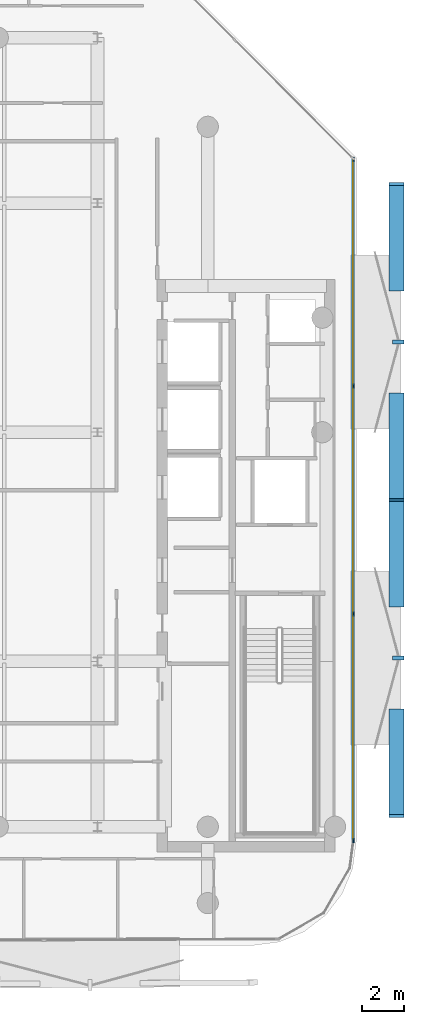
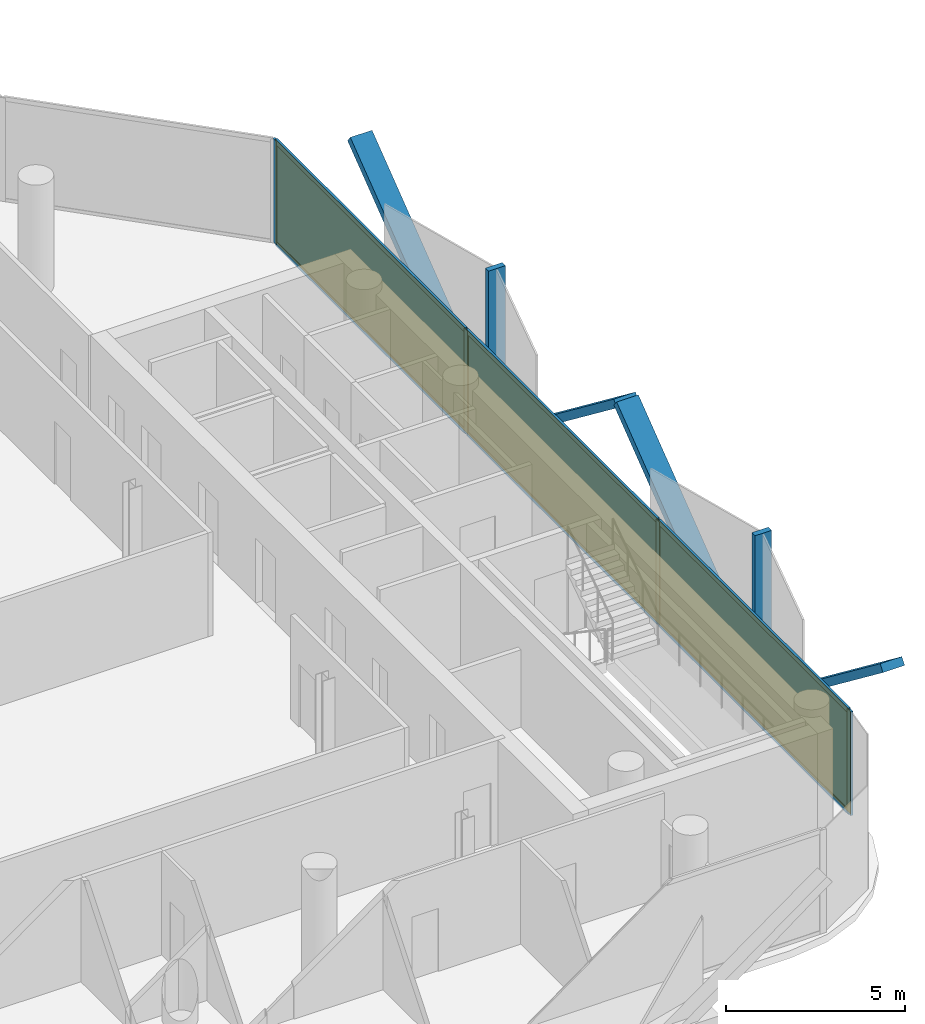
# One storey, part 11 of 15: 16 members, 3 plates, 1 curtain wall.
"""IFC4 building model written with IfcOpenShell, lengths in metres."""

from ifc_helpers import new_model, si_unit, direction, frame, frame_2d, origin, origin_2d, place, context, subcontext, project, spatial, rectangle, extrude, material, layer, layer_set, material_profile, profile_set, type_object, element, aggregate, save


model = new_model("IFC4")

# Units and contexts
model_context = context("Model", 3, precision=1e-05, world=origin(), true_north=direction((0.0, 1.0)))
body_context = subcontext(model_context, "Body", "Model", "MODEL_VIEW")
ifc_project = project(units=[si_unit("LENGTHUNIT", "METRE"), si_unit("AREAUNIT", "SQUARE_METRE"), si_unit("VOLUMEUNIT", "CUBIC_METRE"), si_unit("PLANEANGLEUNIT", "RADIAN"), si_unit("MASSUNIT", "GRAM", prefix="KILO")], contexts=[model_context])

# Member
ifc_material_1 = material(Name="Anodised Bronze Aluminium 6063-T6", Category="aluminium")
ifc_material_profile_1 = material_profile(ifc_material_1, rectangle(XDim=0.260009765625, YDim=0.699951171875, at=origin_2d()))
ifc_profile_set_1 = profile_set([ifc_material_profile_1], Name="Anodised Bronze Aluminium 6063-T6")
member_type_1 = type_object("IfcMemberType", Name="Bronze Diamond Solar-Screen Lattice Rib BDL-700", PredefinedType="MULLION", material=ifc_profile_set_1)
site_placement = place(None, origin())
building_placement = place(site_placement, origin())
storey_placement = place(building_placement, frame((0.0, 0.0, 285.199951171875)))
member_1_placement = place(storey_placement, frame((23.300048828125, 1.77099609375, -0.1298828125), z_axis=(0.0, -0.794123922503, 0.60775586851), x_axis=(0.0, -0.60775586851, -0.794123922503)))
member_1 = element("IfcMember", 1, at=member_1_placement, type_object=member_type_1, Name="L68 Bronze Diamond Solar Screen Lattice Rib 476A", PredefinedType="MULLION", context=body_context, shape_type="SweptSolid", body=[
    extrude(rectangle(XDim=0.260009765625, YDim=0.699951171875, at=origin_2d()), origin(), (0.0, 0.0, 1.0), 6.252685546875),
])

member_2_placement = place(storey_placement, frame((23.300048828125, 6.736572265625, -0.1298828125), z_axis=(0.0, 0.794123922503, 0.60775586851), x_axis=(0.0, 0.60775586851, -0.794123922503)))
member_2 = element("IfcMember", 2, at=member_2_placement, type_object=member_type_1, Name="L68 Bronze Diamond Solar Screen Lattice Rib 476B", PredefinedType="MULLION", context=body_context, shape_type="SweptSolid", body=[
    extrude(rectangle(XDim=0.260009765625, YDim=0.699951171875, at=origin_2d()), origin(), (0.0, 0.0, 1.0), 6.252685546875),
])

member_3_placement = place(storey_placement, frame((23.300048828125, -13.125244140625, -0.1298828125), z_axis=(0.0, -0.794138344259, 0.607737023865), x_axis=(0.0, -0.607737023865, -0.794138344259)))
member_3 = element("IfcMember", 3, at=member_3_placement, type_object=member_type_1, Name="L68 Bronze Diamond Solar Screen Lattice Rib 477A", PredefinedType="MULLION", context=body_context, shape_type="SweptSolid", body=[
    extrude(rectangle(XDim=0.260009765625, YDim=0.699951171875, at=origin_2d()), origin(), (0.0, 0.0, 1.0), 6.252685546875),
])

member_4_placement = place(storey_placement, frame((23.300048828125, -8.159912109375, -0.1298828125), z_axis=(0.0, 0.794138344259, 0.607737023865), x_axis=(0.0, 0.607737023865, -0.794138344259)))
member_4 = element("IfcMember", 4, at=member_4_placement, type_object=member_type_1, Name="L68 Bronze Diamond Solar Screen Lattice Rib 477B", PredefinedType="MULLION", context=body_context, shape_type="SweptSolid", body=[
    extrude(rectangle(XDim=0.260009765625, YDim=0.699951171875, at=origin_2d()), origin(), (0.0, 0.0, 1.0), 6.252685546875),
])

ifc_material_2 = material(Name="Anodised Bronze Aluminium 6063-T6", Category="aluminium")
ifc_material_profile_2 = material_profile(ifc_material_2, rectangle(XDim=0.179931640625, YDim=0.5400390625, at=origin_2d()))
ifc_profile_set_2 = profile_set([ifc_material_profile_2], Name="Anodised Bronze Aluminium 6063-T6")
member_type_2 = type_object("IfcMemberType", Name="Bronze Solar-Screen Vertical Fold Fin BSF-540", PredefinedType="MULLION", material=ifc_profile_set_2)
member_5_placement = place(storey_placement, frame((23.3798828125, 4.25390625, -0.1298828125), z_axis=(0.0, 0.0, 1.0), x_axis=(0.0, -1.0, 0.0)))
member_5 = element("IfcMember", 5, at=member_5_placement, type_object=member_type_2, Name="L68 Bronze Solar Screen Vertical Fin 476", PredefinedType="MULLION", context=body_context, shape_type="SweptSolid", body=[
    extrude(rectangle(XDim=0.179931640625, YDim=0.5400390625, at=origin_2d()), origin(), (0.0, 0.0, 1.0), 3.800048828125),
])

member_6_placement = place(storey_placement, frame((23.3798828125, -10.642578125, -0.1298828125), z_axis=(0.0, 0.0, 1.0), x_axis=(0.0, -1.0, 0.0)))
member_6 = element("IfcMember", 6, at=member_6_placement, type_object=member_type_2, Name="L68 Bronze Solar Screen Vertical Fin 477", PredefinedType="MULLION", context=body_context, shape_type="SweptSolid", body=[
    extrude(rectangle(XDim=0.179931640625, YDim=0.5400390625, at=origin_2d()), origin(), (0.0, 0.0, 1.0), 3.800048828125),
])

ifc_material_3 = material(Name="Anodised Bronze Aluminium 6063-T6", Category="aluminium")
ifc_material_profile_3 = material_profile(ifc_material_3, rectangle(XDim=0.074951171875, YDim=0.2099609375, at=origin_2d()))
ifc_profile_set_3 = profile_set([ifc_material_profile_3], Name="Anodised Bronze Aluminium 6063-T6")
member_type_3 = type_object("IfcMemberType", Name="CW-CRN Mullion 75x210", PredefinedType="MULLION", material=ifc_profile_set_3)
member_7_placement = place(storey_placement, frame((21.260009765625, 12.864501953125, 0.0), z_axis=(0.0, 0.0, 1.0), x_axis=(1.0, 0.0, 0.0)))
member_7 = element("IfcMember", 7, at=member_7_placement, type_object=member_type_3, Name="CW-CRN mullion 1", PredefinedType="MULLION", context=body_context, shape_type="SweptSolid", body=[
    extrude(rectangle(XDim=0.074951171875, YDim=0.2099609375, at=origin_2d()), origin(), (0.0, 0.0, 1.0), 3.5400390625),
])

member_8_placement = place(storey_placement, frame((21.260009765625, 2.171142578125, 0.0), z_axis=(0.0, 0.0, 1.0), x_axis=(1.0, 0.0, 0.0)))
member_8 = element("IfcMember", 8, at=member_8_placement, type_object=member_type_3, Name="CW-CRN mullion 2", PredefinedType="MULLION", context=body_context, shape_type="SweptSolid", body=[
    extrude(rectangle(XDim=0.074951171875, YDim=0.2099609375, at=origin_2d()), origin(), (0.0, 0.0, 1.0), 3.5400390625),
])

member_9_placement = place(storey_placement, frame((21.260009765625, -8.559814453125, 0.0), z_axis=(0.0, 0.0, 1.0), x_axis=(1.0, 0.0, 0.0)))
member_9 = element("IfcMember", 9, at=member_9_placement, type_object=member_type_3, Name="CW-CRN mullion 3", PredefinedType="MULLION", context=body_context, shape_type="SweptSolid", body=[
    extrude(rectangle(XDim=0.074951171875, YDim=0.2099609375, at=origin_2d()), origin(), (0.0, 0.0, 1.0), 3.5400390625),
])

member_10_placement = place(storey_placement, frame((21.260009765625, -19.25341796875, 0.0), z_axis=(0.0, 0.0, 1.0), x_axis=(1.0, 0.0, 0.0)))
member_10 = element("IfcMember", 10, at=member_10_placement, type_object=member_type_3, Name="CW-CRN mullion 4", PredefinedType="MULLION", context=body_context, shape_type="SweptSolid", body=[
    extrude(rectangle(XDim=0.074951171875, YDim=0.2099609375, at=origin_2d()), origin(), (0.0, 0.0, 1.0), 3.5400390625),
])

ifc_material_4 = material(Name="Anodised Bronze Aluminium 6063-T6", Category="aluminium")
ifc_material_profile_4 = material_profile(ifc_material_4, rectangle(XDim=0.074951171875, YDim=0.1650390625, at=origin_2d()))
ifc_profile_set_4 = profile_set([ifc_material_profile_4], Name="Anodised Bronze Aluminium 6063-T6")
member_type_4 = type_object("IfcMemberType", Name="CW-CRN Transom 75x165", PredefinedType="USERDEFINED", material=ifc_profile_set_4)
member_11_placement = place(storey_placement, frame((21.260009765625, 12.826904296875, 0.03759765625), z_axis=(0.0, -1.0, 0.0), x_axis=(1.0, 0.0, 0.0)))
member_11 = element("IfcMember", 11, at=member_11_placement, type_object=member_type_4, Name="CW-CRN transom 1.1", ObjectType="TRANSOM", PredefinedType="USERDEFINED", context=body_context, shape_type="SweptSolid", body=[
    extrude(rectangle(XDim=0.074951171875, YDim=0.1650390625, at=origin_2d()), origin(), (0.0, 0.0, 1.0), 10.618408203125),
])

member_12_placement = place(storey_placement, frame((21.260009765625, 12.826904296875, 3.50244140625), z_axis=(0.0, -1.0, 0.0), x_axis=(1.0, 0.0, 0.0)))
member_12 = element("IfcMember", 12, at=member_12_placement, type_object=member_type_4, Name="CW-CRN transom 1.2", ObjectType="TRANSOM", PredefinedType="USERDEFINED", context=body_context, shape_type="SweptSolid", body=[
    extrude(rectangle(XDim=0.074951171875, YDim=0.1650390625, at=origin_2d()), origin(), (0.0, 0.0, 1.0), 10.618408203125),
])

member_13_placement = place(storey_placement, frame((21.260009765625, 2.133544921875, 0.03759765625), z_axis=(0.0, -1.0, 0.0), x_axis=(1.0, 0.0, 0.0)))
member_13 = element("IfcMember", 13, at=member_13_placement, type_object=member_type_4, Name="CW-CRN transom 2.1", ObjectType="TRANSOM", PredefinedType="USERDEFINED", context=body_context, shape_type="SweptSolid", body=[
    extrude(rectangle(XDim=0.074951171875, YDim=0.1650390625, at=origin_2d()), origin(), (0.0, 0.0, 1.0), 10.656005859375),
])

member_14_placement = place(storey_placement, frame((21.260009765625, 2.133544921875, 3.50244140625), z_axis=(0.0, -1.0, 0.0), x_axis=(1.0, 0.0, 0.0)))
member_14 = element("IfcMember", 14, at=member_14_placement, type_object=member_type_4, Name="CW-CRN transom 2.2", ObjectType="TRANSOM", PredefinedType="USERDEFINED", context=body_context, shape_type="SweptSolid", body=[
    extrude(rectangle(XDim=0.074951171875, YDim=0.1650390625, at=origin_2d()), origin(), (0.0, 0.0, 1.0), 10.656005859375),
])

member_15_placement = place(storey_placement, frame((21.260009765625, -8.597412109375, 0.03759765625), z_axis=(0.0, -1.0, 0.0), x_axis=(1.0, 0.0, 0.0)))
member_15 = element("IfcMember", 15, at=member_15_placement, type_object=member_type_4, Name="CW-CRN transom 3.1", ObjectType="TRANSOM", PredefinedType="USERDEFINED", context=body_context, shape_type="SweptSolid", body=[
    extrude(rectangle(XDim=0.074951171875, YDim=0.1650390625, at=origin_2d()), origin(), (0.0, 0.0, 1.0), 10.618408203125),
])

member_16_placement = place(storey_placement, frame((21.260009765625, -8.597412109375, 3.50244140625), z_axis=(0.0, -1.0, 0.0), x_axis=(1.0, 0.0, 0.0)))
member_16 = element("IfcMember", 16, at=member_16_placement, type_object=member_type_4, Name="CW-CRN transom 3.2", ObjectType="TRANSOM", PredefinedType="USERDEFINED", context=body_context, shape_type="SweptSolid", body=[
    extrude(rectangle(XDim=0.074951171875, YDim=0.1650390625, at=origin_2d()), origin(), (0.0, 0.0, 1.0), 10.618408203125),
])

# Plate
ifc_material_5 = material(Name="Low-E Solar Control Laminated Glass", Category="glass")
ifc_layer_1 = layer(ifc_material_5, 0.035888671875, Name="Low-E Solar Control Laminated Glass")
ifc_layer_set_1 = layer_set([ifc_layer_1], Name="Low-E Solar Control Laminated Glass")
plate_type = type_object("IfcPlateType", Name="CW-CRN Low-E Double Glazed Panel 36mm", PredefinedType="CURTAIN_PANEL", material=ifc_layer_set_1)
plate_1_placement = place(storey_placement, frame((21.260009765625, 7.517822265625, 0.0751953125), z_axis=(0.0, 0.0, 1.0), x_axis=(0.0, -1.0, 0.0)))
plate_1 = element("IfcPlate", 17, at=plate_1_placement, type_object=plate_type, Name="CW-CRN panel 1.1", PredefinedType="CURTAIN_PANEL", context=body_context, shape_type="SweptSolid", body=[
    extrude(rectangle(XDim=10.618408203125, YDim=0.035888671875, at=origin_2d()), origin(), (0.0, 0.0, 1.0), 3.389892578125),
])

plate_2_placement = place(storey_placement, frame((21.260009765625, -3.1943359375, 0.0751953125), z_axis=(0.0, 0.0, 1.0), x_axis=(0.0, -1.0, 0.0)))
plate_2 = element("IfcPlate", 18, at=plate_2_placement, type_object=plate_type, Name="CW-CRN panel 2.1", PredefinedType="CURTAIN_PANEL", context=body_context, shape_type="SweptSolid", body=[
    extrude(rectangle(XDim=10.656005859375, YDim=0.035888671875, at=origin_2d()), origin(), (0.0, 0.0, 1.0), 3.389892578125),
])

plate_3_placement = place(storey_placement, frame((21.260009765625, -13.906494140625, 0.0751953125), z_axis=(0.0, 0.0, 1.0), x_axis=(0.0, -1.0, 0.0)))
plate_3 = element("IfcPlate", 19, at=plate_3_placement, type_object=plate_type, Name="CW-CRN panel 3.1", PredefinedType="CURTAIN_PANEL", context=body_context, shape_type="SweptSolid", body=[
    extrude(rectangle(XDim=10.618408203125, YDim=0.035888671875, at=origin_2d()), origin(), (0.0, 0.0, 1.0), 3.389892578125),
])

# Site, building, storey
site = spatial("IfcSite", under=ifc_project, at=site_placement, CompositionType="ELEMENT")
building = spatial("IfcBuilding", under=site, at=building_placement, Name="Khairoan Windgate Tower", CompositionType="ELEMENT")
storey = spatial("IfcBuildingStorey", under=building, at=storey_placement, Name="L68", CompositionType="ELEMENT", Elevation=285.199951171875)

# Curtain wall
ifc_material_6 = material(Name="Anodised Bronze Aluminium 6063-T6", Category="aluminium")
ifc_layer_2 = layer(ifc_material_6, 0.2099609375, Name="Anodised Bronze Aluminium 6063-T6")
ifc_layer_set_2 = layer_set([ifc_layer_2], Name="Anodised Bronze Aluminium 6063-T6")
curtain_wall_type = type_object("IfcCurtainWallType", Name="Crown Observation and Vitrine Curtain Wall CW-CRN", PredefinedType="NOTDEFINED", material=ifc_layer_set_2)
curtain_wall_placement = place(storey_placement, frame((21.260009765625, 12.902099609375, 0.0), z_axis=(0.0, 0.0, 1.0), x_axis=(0.0, -1.0, 0.0)))
curtain_wall = element("IfcCurtainWall", 20, at=curtain_wall_placement, inside=storey, type_object=curtain_wall_type, Name="L68 Unitised Curtain Wall 9", PredefinedType="NOTDEFINED", context=body_context, shape_type="SweptSolid", body=[
    extrude(rectangle(XDim=32.19287109375, YDim=0.010009765625, at=frame_2d((16.096435546875, 0.0))), origin(), (0.0, 0.0, 1.0), 3.5400390625),
])

aggregate(curtain_wall, [member_7, member_8, member_9, member_10, member_11, member_12, plate_1, member_13, member_14, plate_2, member_15, member_16, plate_3, member_1, member_2, member_5, member_3, member_4, member_6])

save(model, "model.ifc")
